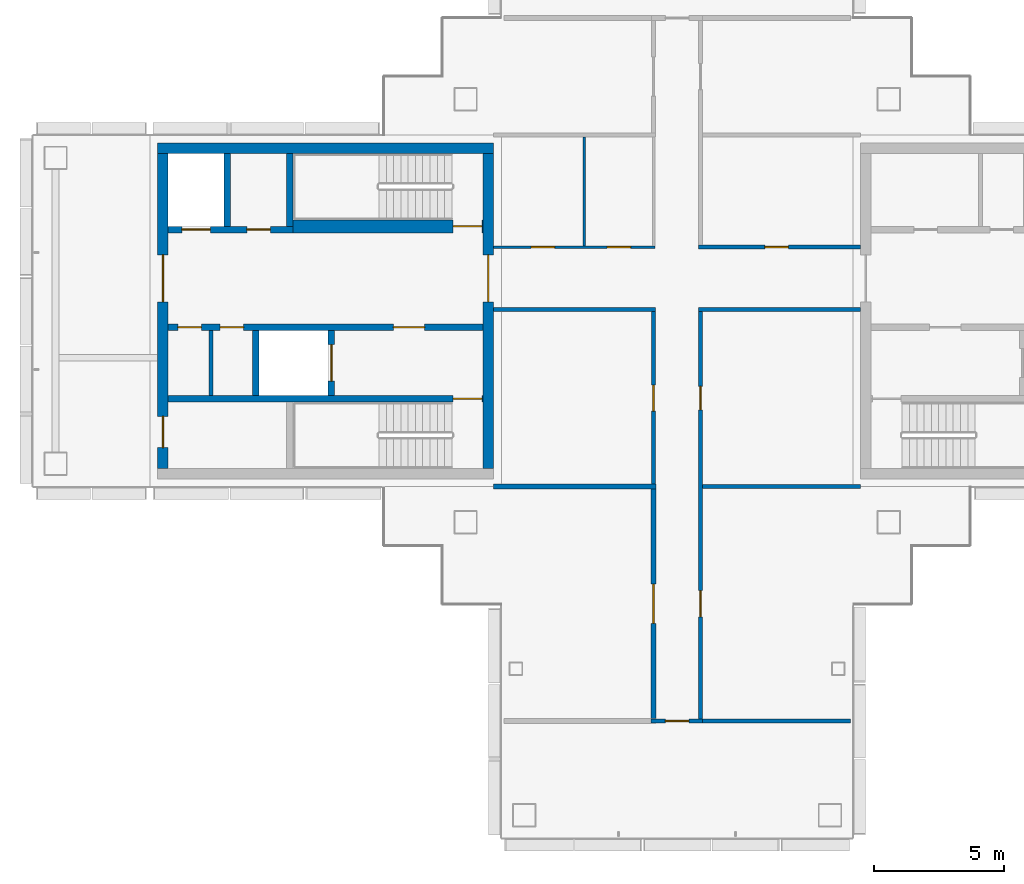
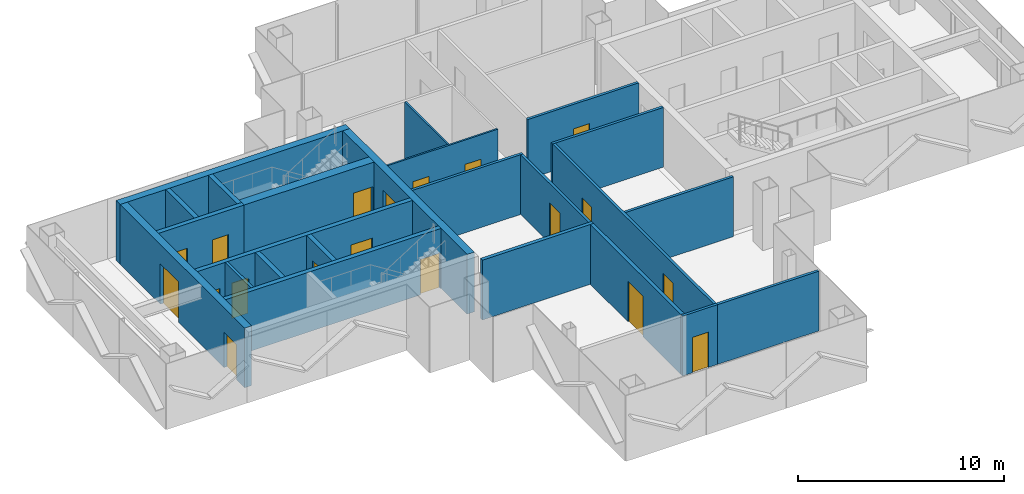
# One storey, part 9 of 17: 24 walls, 19 doors, 19 openings.
"""IFC4 building model written with IfcOpenShell, lengths in metres."""

from ifc_helpers import new_model, si_unit, direction, frame, frame_2d, origin, place, context, subcontext, project, spatial, rectangle, extrude, material, layer, layer_set, type_object, element, fill, save


model = new_model("IFC4")

# Units and contexts
model_context = context("Model", 3, precision=1e-05, world=origin(), true_north=direction((0.0, 1.0)))
body_context = subcontext(model_context, "Body", "Model", "MODEL_VIEW")
ifc_project = project(units=[si_unit("LENGTHUNIT", "METRE"), si_unit("AREAUNIT", "SQUARE_METRE"), si_unit("VOLUMEUNIT", "CUBIC_METRE"), si_unit("PLANEANGLEUNIT", "RADIAN"), si_unit("MASSUNIT", "GRAM", prefix="KILO")], contexts=[model_context])

# Site, building, storey
site_placement = place(None, origin())
site = spatial("IfcSite", under=ifc_project, at=site_placement, CompositionType="ELEMENT")
building_placement = place(site_placement, origin())
building = spatial("IfcBuilding", under=site, at=building_placement, Name="Shamsa Quay Exchange Towers", CompositionType="ELEMENT")
storey_placement = place(building_placement, frame((0.0, 0.0, 234.300048828125)))
storey = spatial("IfcBuildingStorey", under=building, at=storey_placement, Name="L56", CompositionType="ELEMENT", Elevation=234.300048828125)

# Wall, opening, door
ifc_material_1 = material(Name="Double-leaf gypsum board partition with acoustic insulation")
ifc_layer_1 = layer(ifc_material_1, 0.199951171875)
ifc_layer_set_1 = layer_set([ifc_layer_1], Name="Acoustic partition 200 mm EI 60")
wall_type_1 = type_object("IfcWallType", Name="Acoustic partition 200 mm EI 60", PredefinedType="PARTITIONING", material=ifc_layer_set_1)
wall_1_placement = place(storey_placement, frame((-34.650390625, -15.64990234375, 0.0), z_axis=(0.0, 0.0, 1.0), x_axis=(0.0, 1.0, 0.0)))
wall_1 = element("IfcWall", 1, at=wall_1_placement, inside=storey, type_object=wall_type_1, Name="Partition T1-R25-W11", PredefinedType="PARTITIONING", context=body_context, shape_type="SweptSolid", body=[
    extrude(rectangle(XDim=8.7998046875, YDim=0.199951171875, at=frame_2d((4.39990234375, 0.0))), origin(), (0.0, 0.0, 1.0), 3.550048828125),
])
opening_1_placement = place(wall_1_placement, frame((3.64990234375, 0.0, 0.0)))
opening_1 = element("IfcOpeningElement", 2, at=opening_1_placement, cuts=wall_1, Name="Opening T1-R25-D03", PredefinedType="OPENING", context=body_context, shape_type="SweptSolid", body=[
    extrude(rectangle(XDim=1.5, YDim=2.39990234375, at=frame_2d((0.75, 1.199951171875))), frame((0.0, 0.10986328125, 0.0), z_axis=(0.0, -1.0, 0.0), x_axis=(1.0, 0.0, 0.0)), (0.0, 0.0, 1.0), 0.219970703125),
])
ifc_material_2 = material(Name="Timber door leaf in a metal frame", Category="wood")
door_type_1 = type_object("IfcDoorType", Name="Door 1500x2400 FD30S pair", OperationType="NOTDEFINED", PredefinedType="DOOR", material=ifc_material_2)
door_1_placement = place(opening_1_placement, origin())
door_1 = element("IfcDoor", 3, at=door_1_placement, inside=storey, type_object=door_type_1, Name="Door T1-R25-D03", OperationType="DOUBLE_DOOR_SINGLE_SWING", OverallHeight=2.39990234375, OverallWidth=1.5, PredefinedType="DOOR", context=body_context, shape_type="SweptSolid", body=[
    extrude(rectangle(XDim=1.5, YDim=2.39990234375, at=frame_2d((0.75, 1.199951171875))), frame((0.0, 0.02490234375, 0.0), z_axis=(0.0, -1.0, 0.0), x_axis=(1.0, 0.0, 0.0)), (0.0, 0.0, 1.0), 0.050048828125),
])
fill(opening_1, door_1)

# Walls
wall_2_placement = place(storey_placement, frame((-40.800048828125, -6.75, 0.0)))
element("IfcWall", 4, at=wall_2_placement, inside=storey, type_object=wall_type_1, Name="Partition T1-R25-W17", PredefinedType="PARTITIONING", context=body_context, shape_type="SweptSolid", body=[
    extrude(rectangle(XDim=6.249755859375, YDim=0.199951171875, at=frame_2d((3.125, 0.0))), origin(), (0.0, 0.0, 1.0), 3.550048828125),
])
ifc_material_3 = material(Name="Concrete C60/75", Category="concrete")
ifc_layer_2 = layer(ifc_material_3, 0.39990234375)
ifc_layer_set_2 = layer_set([ifc_layer_2], Name="CORE WALL 400 C60/75")
wall_type_2 = type_object("IfcWallType", Name="CORE WALL 400 C60/75", PredefinedType="SHEAR", material=ifc_layer_set_2)
wall_3_placement = place(storey_placement, frame((-40.800048828125, 6.25, 0.0), z_axis=(0.0, 0.0, 1.0), x_axis=(-1.0, 0.0, 0.0)))
element("IfcWall", 5, at=wall_3_placement, inside=storey, type_object=wall_type_2, Name="Core wall T1B-R25-PN", PredefinedType="SHEAR", context=body_context, shape_type="SweptSolid", body=[
    extrude(rectangle(XDim=12.89990234375, YDim=0.39990234375, at=frame_2d((6.449951171875, 0.0))), origin(), (0.0, 0.0, 1.0), 3.550048828125),
])

# Wall, opening, door
wall_4_placement = place(storey_placement, frame((-41.0, -6.050048828125, 0.0), z_axis=(0.0, 0.0, 1.0), x_axis=(0.0, 1.0, 0.0)))
wall_4 = element("IfcWall", 6, at=wall_4_placement, inside=storey, type_object=wall_type_2, Name="Core wall T1B-R25-PF", PredefinedType="SHEAR", context=body_context, shape_type="SweptSolid", body=[
    extrude(rectangle(XDim=12.10009765625, YDim=0.39990234375, at=frame_2d((6.050048828125, 0.0))), origin(), (0.0, 0.0, 1.0), 3.550048828125),
])
opening_2_placement = place(wall_4_placement, frame((6.39990234375, 0.0, 0.0)))
opening_2 = element("IfcOpeningElement", 7, at=opening_2_placement, cuts=wall_4, Name="Opening T1B-R25-LBD01", PredefinedType="OPENING", context=body_context, shape_type="SweptSolid", body=[
    extrude(rectangle(XDim=1.800048828125, YDim=2.39990234375, at=frame_2d((0.89990234375, 1.199951171875))), frame((0.0, 0.2099609375, 0.0), z_axis=(0.0, -1.0, 0.0), x_axis=(1.0, 0.0, 0.0)), (0.0, 0.0, 1.0), 0.419921875),
])
ifc_material_4 = material(Name="Steel, fire rated", Category="steel")
door_type_2 = type_object("IfcDoorType", Name="LIFT LOBBY DOOR PAIR 1800", OperationType="DOUBLE_DOOR_SINGLE_SWING", PredefinedType="DOOR", material=ifc_material_4)
door_2_placement = place(opening_2_placement, origin())
door_2 = element("IfcDoor", 8, at=door_2_placement, inside=storey, type_object=door_type_2, Name="T1B-R25-LBD01", OperationType="DOUBLE_DOOR_SINGLE_SWING", OverallHeight=2.39990234375, OverallWidth=1.800048828125, PredefinedType="DOOR", context=body_context, shape_type="SweptSolid", body=[
    extrude(rectangle(XDim=1.800048828125, YDim=2.39990234375, at=frame_2d((0.89990234375, 1.199951171875))), frame((0.0, 0.02490234375, 0.0), z_axis=(0.0, -1.0, 0.0), x_axis=(1.0, 0.0, 0.0)), (0.0, 0.0, 1.0), 0.050048828125),
])
fill(opening_2, door_2)

# Wall, openings, doors
wall_5_placement = place(storey_placement, frame((-53.5, -6.050048828125, 0.0), z_axis=(0.0, 0.0, 1.0), x_axis=(0.0, 1.0, 0.0)))
wall_5 = element("IfcWall", 9, at=wall_5_placement, inside=storey, type_object=wall_type_2, Name="Core wall T1B-R25-PB", PredefinedType="SHEAR", context=body_context, shape_type="SweptSolid", body=[
    extrude(rectangle(XDim=12.10009765625, YDim=0.39990234375, at=frame_2d((6.050048828125, 0.0))), origin(), (0.0, 0.0, 1.0), 3.550048828125),
])
opening_3_placement = place(wall_5_placement, frame((0.800048828125, 0.0, 0.0)))
opening_3 = element("IfcOpeningElement", 10, at=opening_3_placement, cuts=wall_5, Name="Opening T1B-R25-RD02", PredefinedType="OPENING", context=body_context, shape_type="SweptSolid", body=[
    extrude(rectangle(XDim=1.199951171875, YDim=2.10009765625, at=frame_2d((0.60009765625, 1.050048828125))), frame((0.0, 0.2099609375, 0.0), z_axis=(0.0, -1.0, 0.0), x_axis=(1.0, 0.0, 0.0)), (0.0, 0.0, 1.0), 0.419921875),
])
opening_4_placement = place(wall_5_placement, frame((6.39990234375, 0.0, 0.0)))
opening_4 = element("IfcOpeningElement", 11, at=opening_4_placement, cuts=wall_5, Name="Opening T1B-R25-LBD03", PredefinedType="OPENING", context=body_context, shape_type="SweptSolid", body=[
    extrude(rectangle(XDim=1.800048828125, YDim=2.39990234375, at=frame_2d((0.89990234375, 1.199951171875))), frame((0.0, 0.2099609375, 0.0), z_axis=(0.0, -1.0, 0.0), x_axis=(1.0, 0.0, 0.0)), (0.0, 0.0, 1.0), 0.419921875),
])
door_3_placement = place(opening_4_placement, origin())
door_3 = element("IfcDoor", 12, at=door_3_placement, inside=storey, type_object=door_type_2, Name="T1B-R25-LBD03", OperationType="DOUBLE_DOOR_SINGLE_SWING", OverallHeight=2.39990234375, OverallWidth=1.800048828125, PredefinedType="DOOR", context=body_context, shape_type="SweptSolid", body=[
    extrude(rectangle(XDim=1.800048828125, YDim=2.39990234375, at=frame_2d((0.89990234375, 1.199951171875))), frame((0.0, 0.02490234375, 0.0), z_axis=(0.0, -1.0, 0.0), x_axis=(1.0, 0.0, 0.0)), (0.0, 0.0, 1.0), 0.050048828125),
])
fill(opening_4, door_3)
door_type_3 = type_object("IfcDoorType", Name="RISER ACCESS DOOR 1200", OperationType="SINGLE_SWING_LEFT", PredefinedType="DOOR", material=ifc_material_4)
door_4_placement = place(opening_3_placement, origin())
door_4 = element("IfcDoor", 13, at=door_4_placement, inside=storey, type_object=door_type_3, Name="T1B-R25-RD02", OperationType="SINGLE_SWING_LEFT", OverallHeight=2.10009765625, OverallWidth=1.199951171875, PredefinedType="DOOR", context=body_context, shape_type="SweptSolid", body=[
    extrude(rectangle(XDim=1.199951171875, YDim=2.10009765625, at=frame_2d((0.60009765625, 1.050048828125))), frame((0.0, 0.02490234375, 0.0), z_axis=(0.0, -1.0, 0.0), x_axis=(1.0, 0.0, 0.0)), (0.0, 0.0, 1.0), 0.050048828125),
])
fill(opening_3, door_4)

# Wall
ifc_material_5 = material(Name="Gypsum board on steel studs, EI 60", Category="steel")
ifc_layer_3 = layer(ifc_material_5, 0.14990234375)
ifc_layer_set_3 = layer_set([ifc_layer_3], Name="FIRE PARTITION 150")
wall_type_3 = type_object("IfcWallType", Name="FIRE PARTITION 150", PredefinedType="PARTITIONING", material=ifc_layer_set_3)
wall_6_placement = place(storey_placement, frame((-51.64990234375, -3.25, 0.0), z_axis=(0.0, 0.0, 1.0), x_axis=(0.0, 1.0, 0.0)))
element("IfcWall", 14, at=wall_6_placement, inside=storey, type_object=wall_type_3, Name="Partition T1B-R25-EC0", PredefinedType="PARTITIONING", context=body_context, shape_type="SweptSolid", body=[
    extrude(rectangle(XDim=2.5, YDim=0.14990234375, at=frame_2d((1.25, 0.0))), origin(), (0.0, 0.0, 1.0), 3.550048828125),
])

# Wall, openings, doors
ifc_material_6 = material(Name="Gypsum board partition on metal studs")
ifc_layer_4 = layer(ifc_material_6, 0.10009765625)
ifc_layer_set_4 = layer_set([ifc_layer_4], Name="Partition 100 mm NOT RATED")
wall_type_4 = type_object("IfcWallType", Name="Partition 100 mm NOT RATED", PredefinedType="PARTITIONING", material=ifc_layer_set_4)
wall_7_placement = place(storey_placement, frame((-40.800048828125, 2.4501953125, 0.0)))
wall_7 = element("IfcWall", 15, at=wall_7_placement, inside=storey, type_object=wall_type_4, Name="Partition T1-R25-W06", PredefinedType="PARTITIONING", context=body_context, shape_type="SweptSolid", body=[
    extrude(rectangle(XDim=6.19970703125, YDim=0.10009765625, at=frame_2d((3.099853515625, 0.0))), origin(), (0.0, 0.0, 1.0), 3.550048828125),
])
opening_5_placement = place(wall_7_placement, frame((1.44384765625, 0.0, 0.0)))
opening_5 = element("IfcOpeningElement", 16, at=opening_5_placement, cuts=wall_7, Name="Opening T1-R25-D01", PredefinedType="OPENING", context=body_context, shape_type="SweptSolid", body=[
    extrude(rectangle(XDim=0.89990234375, YDim=2.10009765625, at=frame_2d((0.449951171875, 1.050048828125))), frame((0.0, 0.06005859375, 0.0), z_axis=(0.0, -1.0, 0.0), x_axis=(1.0, 0.0, 0.0)), (0.0, 0.0, 1.0), 0.1201171875),
])
opening_6_placement = place(wall_7_placement, frame((4.368408203125, 0.0, 0.0)))
opening_6 = element("IfcOpeningElement", 17, at=opening_6_placement, cuts=wall_7, Name="Opening T1-R25-D02", PredefinedType="OPENING", context=body_context, shape_type="SweptSolid", body=[
    extrude(rectangle(XDim=0.89990234375, YDim=2.10009765625, at=frame_2d((0.449951171875, 1.050048828125))), frame((0.0, 0.06005859375, 0.0), z_axis=(0.0, -1.0, 0.0), x_axis=(1.0, 0.0, 0.0)), (0.0, 0.0, 1.0), 0.1201171875),
])
door_type_4 = type_object("IfcDoorType", Name="Door 900x2100 NOT RATED", OperationType="NOTDEFINED", PredefinedType="DOOR", material=ifc_material_2)
door_5_placement = place(opening_5_placement, origin())
door_5 = element("IfcDoor", 18, at=door_5_placement, inside=storey, type_object=door_type_4, Name="Door T1-R25-D01", OperationType="SINGLE_SWING_LEFT", OverallHeight=2.10009765625, OverallWidth=0.89990234375, PredefinedType="DOOR", context=body_context, shape_type="SweptSolid", body=[
    extrude(rectangle(XDim=0.89990234375, YDim=2.10009765625, at=frame_2d((0.449951171875, 1.050048828125))), frame((0.0, 0.02490234375, 0.0), z_axis=(0.0, -1.0, 0.0), x_axis=(1.0, 0.0, 0.0)), (0.0, 0.0, 1.0), 0.050048828125),
])
fill(opening_5, door_5)
door_6_placement = place(opening_6_placement, origin())
door_6 = element("IfcDoor", 19, at=door_6_placement, inside=storey, type_object=door_type_4, Name="Door T1-R25-D02", OperationType="SINGLE_SWING_LEFT", OverallHeight=2.10009765625, OverallWidth=0.89990234375, PredefinedType="DOOR", context=body_context, shape_type="SweptSolid", body=[
    extrude(rectangle(XDim=0.89990234375, YDim=2.10009765625, at=frame_2d((0.449951171875, 1.050048828125))), frame((0.0, 0.02490234375, 0.0), z_axis=(0.0, -1.0, 0.0), x_axis=(1.0, 0.0, 0.0)), (0.0, 0.0, 1.0), 0.050048828125),
])
fill(opening_6, door_6)

# Wall
wall_8_placement = place(storey_placement, frame((-37.3125, 2.500244140625, 0.0), z_axis=(0.0, 0.0, 1.0), x_axis=(0.0, 1.0, 0.0)))
element("IfcWall", 20, at=wall_8_placement, inside=storey, type_object=wall_type_4, Name="Partition T1-R25-W16", PredefinedType="PARTITIONING", context=body_context, shape_type="SweptSolid", body=[
    extrude(rectangle(XDim=4.1748046875, YDim=0.10009765625, at=frame_2d((2.08740234375, 0.0))), origin(), (0.0, 0.0, 1.0), 3.550048828125),
])

# Wall, openings, doors
ifc_layer_5 = layer(ifc_material_6, 0.14990234375)
ifc_layer_set_5 = layer_set([ifc_layer_5], Name="Partition 150 mm EI 60")
wall_type_5 = type_object("IfcWallType", Name="Partition 150 mm EI 60", PredefinedType="PARTITIONING", material=ifc_layer_set_5)
wall_9_placement = place(storey_placement, frame((-32.849609375, -0.025146484375, 0.0), z_axis=(0.0, 0.0, 1.0), x_axis=(0.0, -1.0, 0.0)))
wall_9 = element("IfcWall", 21, at=wall_9_placement, inside=storey, type_object=wall_type_5, Name="Partition T1-R25-W02", PredefinedType="PARTITIONING", context=body_context, shape_type="SweptSolid", body=[
    extrude(rectangle(XDim=15.64990234375, YDim=0.14990234375, at=frame_2d((7.824951171875, 0.0))), origin(), (0.0, 0.0, 1.0), 3.550048828125),
])
opening_7_placement = place(wall_9_placement, frame((2.875, 0.0, 0.0)))
opening_7 = element("IfcOpeningElement", 22, at=opening_7_placement, cuts=wall_9, Name="Opening T1-R25-D08", PredefinedType="OPENING", context=body_context, shape_type="SweptSolid", body=[
    extrude(rectangle(XDim=0.89990234375, YDim=2.10009765625, at=frame_2d((0.449951171875, 1.050048828125))), frame((0.0, 0.0849609375, 0.0), z_axis=(0.0, -1.0, 0.0), x_axis=(1.0, 0.0, 0.0)), (0.0, 0.0, 1.0), 0.169921875),
])
opening_8_placement = place(wall_9_placement, frame((10.724853515625, 0.0, 0.0)))
opening_8 = element("IfcOpeningElement", 23, at=opening_8_placement, cuts=wall_9, Name="Opening T1-R25-D09", PredefinedType="OPENING", context=body_context, shape_type="SweptSolid", body=[
    extrude(rectangle(XDim=1.0, YDim=2.39990234375, at=frame_2d((0.5, 1.199951171875))), frame((0.0, 0.0849609375, 0.0), z_axis=(0.0, -1.0, 0.0), x_axis=(1.0, 0.0, 0.0)), (0.0, 0.0, 1.0), 0.169921875),
])
door_type_5 = type_object("IfcDoorType", Name="Door 1000x2400 FD30S", OperationType="NOTDEFINED", PredefinedType="DOOR", material=ifc_material_2)
door_7_placement = place(opening_8_placement, origin())
door_7 = element("IfcDoor", 24, at=door_7_placement, inside=storey, type_object=door_type_5, Name="Door T1-R25-D09", OperationType="SINGLE_SWING_LEFT", OverallHeight=2.39990234375, OverallWidth=1.0, PredefinedType="DOOR", context=body_context, shape_type="SweptSolid", body=[
    extrude(rectangle(XDim=1.0, YDim=2.39990234375, at=frame_2d((0.5, 1.199951171875))), frame((0.0, 0.02490234375, 0.0), z_axis=(0.0, -1.0, 0.0), x_axis=(1.0, 0.0, 0.0)), (0.0, 0.0, 1.0), 0.050048828125),
])
fill(opening_8, door_7)
door_type_6 = type_object("IfcDoorType", Name="Door 900x2100 FD30S", OperationType="NOTDEFINED", PredefinedType="DOOR", material=ifc_material_2)
door_8_placement = place(opening_7_placement, origin())
door_8 = element("IfcDoor", 25, at=door_8_placement, inside=storey, type_object=door_type_6, Name="Door T1-R25-D08", OperationType="SINGLE_SWING_RIGHT", OverallHeight=2.10009765625, OverallWidth=0.89990234375, PredefinedType="DOOR", context=body_context, shape_type="SweptSolid", body=[
    extrude(rectangle(XDim=0.89990234375, YDim=2.10009765625, at=frame_2d((0.449951171875, 1.050048828125))), frame((0.0, 0.02490234375, 0.0), z_axis=(0.0, -1.0, 0.0), x_axis=(1.0, 0.0, 0.0)), (0.0, 0.0, 1.0), 0.050048828125),
])
fill(opening_7, door_8)

# Wall, opening, door
wall_10_placement = place(storey_placement, frame((-32.924560546875, 2.4501953125, 0.0)))
wall_10 = element("IfcWall", 26, at=wall_10_placement, inside=storey, type_object=wall_type_5, Name="Partition T1-R25-W03", PredefinedType="PARTITIONING", context=body_context, shape_type="SweptSolid", body=[
    extrude(rectangle(XDim=6.224609375, YDim=0.14990234375, at=frame_2d((3.1123046875, 0.0))), origin(), (0.0, 0.0, 1.0), 3.550048828125),
])
opening_9_placement = place(wall_10_placement, frame((2.5498046875, 0.0, 0.0)))
opening_9 = element("IfcOpeningElement", 27, at=opening_9_placement, cuts=wall_10, Name="Opening T1-R25-D10", PredefinedType="OPENING", context=body_context, shape_type="SweptSolid", body=[
    extrude(rectangle(XDim=0.89990234375, YDim=2.10009765625, at=frame_2d((0.449951171875, 1.050048828125))), frame((0.0, 0.0849609375, 0.0), z_axis=(0.0, -1.0, 0.0), x_axis=(1.0, 0.0, 0.0)), (0.0, 0.0, 1.0), 0.169921875),
])
door_9_placement = place(opening_9_placement, origin())
door_9 = element("IfcDoor", 28, at=door_9_placement, inside=storey, type_object=door_type_6, Name="Door T1-R25-D10", OperationType="SINGLE_SWING_RIGHT", OverallHeight=2.10009765625, OverallWidth=0.89990234375, PredefinedType="DOOR", context=body_context, shape_type="SweptSolid", body=[
    extrude(rectangle(XDim=0.89990234375, YDim=2.10009765625, at=frame_2d((0.449951171875, 1.050048828125))), frame((0.0, 0.02490234375, 0.0), z_axis=(0.0, -1.0, 0.0), x_axis=(1.0, 0.0, 0.0)), (0.0, 0.0, 1.0), 0.050048828125),
])
fill(opening_9, door_9)

# Walls
for number, where, z_axis, x_axis, name in (
    (29, (-26.699951171875, 0.0498046875, 0.0), (0.0, 0.0, 1.0), (-1.0, 0.0, 0.0), "Partition T1-R25-W04"),
    (30, (-34.575439453125, 0.0498046875, 0.0), (0.0, 0.0, 1.0), (-1.0, 0.0, 0.0), "Partition T1-R25-W05"),
):
    element("IfcWall", number, at=place(storey_placement, frame(where, z_axis=z_axis, x_axis=x_axis)), inside=storey, type_object=wall_type_5, Name=name, PredefinedType="PARTITIONING", context=body_context, shape_type="SweptSolid", body=[
        extrude(rectangle(XDim=6.224609375, YDim=0.14990234375, at=frame_2d((3.1123046875, 0.0))), origin(), (0.0, 0.0, 1.0), 3.550048828125),
    ])

# Wall, opening, door
wall_11_placement = place(storey_placement, frame((-34.650390625, -6.64990234375, 0.0), z_axis=(0.0, 0.0, 1.0), x_axis=(0.0, 1.0, 0.0)))
wall_11 = element("IfcWall", 31, at=wall_11_placement, inside=storey, type_object=wall_type_5, Name="Partition T1-R25-W08", PredefinedType="PARTITIONING", context=body_context, shape_type="SweptSolid", body=[
    extrude(rectangle(XDim=6.624755859375, YDim=0.14990234375, at=frame_2d((3.3125, 0.0))), origin(), (0.0, 0.0, 1.0), 3.550048828125),
])
opening_10_placement = place(wall_11_placement, frame((2.7998046875, 0.0, 0.0)))
opening_10 = element("IfcOpeningElement", 32, at=opening_10_placement, cuts=wall_11, Name="Opening T1-R25-D04", PredefinedType="OPENING", context=body_context, shape_type="SweptSolid", body=[
    extrude(rectangle(XDim=1.0, YDim=2.39990234375, at=frame_2d((0.5, 1.199951171875))), frame((0.0, 0.0849609375, 0.0), z_axis=(0.0, -1.0, 0.0), x_axis=(1.0, 0.0, 0.0)), (0.0, 0.0, 1.0), 0.169921875),
])
door_10_placement = place(opening_10_placement, origin())
door_10 = element("IfcDoor", 33, at=door_10_placement, inside=storey, type_object=door_type_5, Name="Door T1-R25-D04", OperationType="SINGLE_SWING_LEFT", OverallHeight=2.39990234375, OverallWidth=1.0, PredefinedType="DOOR", context=body_context, shape_type="SweptSolid", body=[
    extrude(rectangle(XDim=1.0, YDim=2.39990234375, at=frame_2d((0.5, 1.199951171875))), frame((0.0, 0.02490234375, 0.0), z_axis=(0.0, -1.0, 0.0), x_axis=(1.0, 0.0, 0.0)), (0.0, 0.0, 1.0), 0.050048828125),
])
fill(opening_10, door_10)

wall_12_placement = place(storey_placement, frame((-32.774658203125, -15.75, 0.0), z_axis=(0.0, 0.0, 1.0), x_axis=(-1.0, 0.0, 0.0)))
wall_12 = element("IfcWall", 34, at=wall_12_placement, inside=storey, type_object=wall_type_5, Name="Partition T1-R25-W12", PredefinedType="PARTITIONING", context=body_context, shape_type="SweptSolid", body=[
    extrude(rectangle(XDim=1.975830078125, YDim=0.14990234375, at=frame_2d((0.98779296875, 0.0))), origin(), (0.0, 0.0, 1.0), 3.550048828125),
])
opening_11_placement = place(wall_12_placement, frame((0.525390625, 0.0, 0.0)))
opening_11 = element("IfcOpeningElement", 35, at=opening_11_placement, cuts=wall_12, Name="Opening T1-R25-D07", PredefinedType="OPENING", context=body_context, shape_type="SweptSolid", body=[
    extrude(rectangle(XDim=0.89990234375, YDim=2.10009765625, at=frame_2d((0.449951171875, 1.050048828125))), frame((0.0, 0.0849609375, 0.0), z_axis=(0.0, -1.0, 0.0), x_axis=(1.0, 0.0, 0.0)), (0.0, 0.0, 1.0), 0.169921875),
])
door_11_placement = place(opening_11_placement, origin())
door_11 = element("IfcDoor", 36, at=door_11_placement, inside=storey, type_object=door_type_6, Name="Door T1-R25-D07", OperationType="SINGLE_SWING_LEFT", OverallHeight=2.10009765625, OverallWidth=0.89990234375, PredefinedType="DOOR", context=body_context, shape_type="SweptSolid", body=[
    extrude(rectangle(XDim=0.89990234375, YDim=2.10009765625, at=frame_2d((0.449951171875, 1.050048828125))), frame((0.0, 0.02490234375, 0.0), z_axis=(0.0, -1.0, 0.0), x_axis=(1.0, 0.0, 0.0)), (0.0, 0.0, 1.0), 0.050048828125),
])
fill(opening_11, door_11)

# Walls
wall_13_placement = place(storey_placement, frame((-32.774658203125, -6.75, 0.0)))
element("IfcWall", 37, at=wall_13_placement, inside=storey, type_object=wall_type_5, Name="Partition T1-R25-W15", PredefinedType="PARTITIONING", context=body_context, shape_type="SweptSolid", body=[
    extrude(rectangle(XDim=6.07470703125, YDim=0.14990234375, at=frame_2d((3.037353515625, 0.0))), origin(), (0.0, 0.0, 1.0), 3.550048828125),
])
wall_14_placement = place(storey_placement, frame((-32.924560546875, -15.75, 0.0)))
element("IfcWall", 38, at=wall_14_placement, inside=storey, type_object=wall_type_5, Name="Partition T1-R25-W20", PredefinedType="PARTITIONING", context=body_context, shape_type="SweptSolid", body=[
    extrude(rectangle(XDim=5.82958984375, YDim=0.14990234375, at=frame_2d((2.914794921875, 0.0))), origin(), (0.0, 0.0, 1.0), 3.550048828125),
])

# Wall, opening, door
ifc_material_7 = material(Name="Concrete C50/60", Category="concrete")
ifc_layer_6 = layer(ifc_material_7, 0.25)
ifc_layer_set_6 = layer_set([ifc_layer_6], Name="SHAFT WALL 250 C50/60")
wall_type_6 = type_object("IfcWallType", Name="SHAFT WALL 250 C50/60", PredefinedType="SHEAR", material=ifc_layer_set_6)
wall_15_placement = place(storey_placement, frame((-41.199951171875, -3.375, 0.0), z_axis=(0.0, 0.0, 1.0), x_axis=(-1.0, 0.0, 0.0)))
wall_15 = element("IfcWall", 39, at=wall_15_placement, inside=storey, type_object=wall_type_6, Name="Shaft wall T1B-R25-STL", PredefinedType="SHEAR", context=body_context, shape_type="SweptSolid", body=[
    extrude(rectangle(XDim=12.10009765625, YDim=0.25, at=frame_2d((6.050048828125, 0.0))), origin(), (0.0, 0.0, 1.0), 3.550048828125),
])
opening_12_placement = place(wall_15_placement, frame((0.050048828125, 0.0, 0.0)))
opening_12 = element("IfcOpeningElement", 40, at=opening_12_placement, cuts=wall_15, Name="Opening T1B-R25-SD04", PredefinedType="OPENING", context=body_context, shape_type="SweptSolid", body=[
    extrude(rectangle(XDim=1.10009765625, YDim=2.10009765625, at=frame_2d((0.550048828125, 1.050048828125))), frame((0.0, 0.135009765625, 0.0), z_axis=(0.0, -1.0, 0.0), x_axis=(1.0, 0.0, 0.0)), (0.0, 0.0, 1.0), 0.27001953125),
])
door_type_7 = type_object("IfcDoorType", Name="STAIR DOOR 1100", OperationType="SINGLE_SWING_LEFT", PredefinedType="DOOR", material=ifc_material_4)
door_12_placement = place(opening_12_placement, origin())
door_12 = element("IfcDoor", 41, at=door_12_placement, inside=storey, type_object=door_type_7, Name="T1B-R25-SD04", OperationType="SINGLE_SWING_LEFT", OverallHeight=2.10009765625, OverallWidth=1.10009765625, PredefinedType="DOOR", context=body_context, shape_type="SweptSolid", body=[
    extrude(rectangle(XDim=1.10009765625, YDim=2.10009765625, at=frame_2d((0.550048828125, 1.050048828125))), frame((0.0, 0.02490234375, 0.0), z_axis=(0.0, -1.0, 0.0), x_axis=(1.0, 0.0, 0.0)), (0.0, 0.0, 1.0), 0.050048828125),
])
fill(opening_12, door_12)

# Wall, openings, doors
wall_16_placement = place(storey_placement, frame((-41.199951171875, -0.625, 0.0), z_axis=(0.0, 0.0, 1.0), x_axis=(-1.0, 0.0, 0.0)))
wall_16 = element("IfcWall", 42, at=wall_16_placement, inside=storey, type_object=wall_type_6, Name="Shaft wall T1B-R25-B", PredefinedType="SHEAR", context=body_context, shape_type="SweptSolid", body=[
    extrude(rectangle(XDim=12.10009765625, YDim=0.25, at=frame_2d((6.050048828125, 0.0))), origin(), (0.0, 0.0, 1.0), 3.550048828125),
])
opening_13_placement = place(wall_16_placement, frame((2.25, 0.0, 0.0)))
opening_13 = element("IfcOpeningElement", 43, at=opening_13_placement, cuts=wall_16, Name="Opening T1B-R25-FD05", PredefinedType="OPENING", context=body_context, shape_type="SweptSolid", body=[
    extrude(rectangle(XDim=1.199951171875, YDim=2.10009765625, at=frame_2d((0.60009765625, 1.050048828125))), frame((0.0, 0.135009765625, 0.0), z_axis=(0.0, -1.0, 0.0), x_axis=(1.0, 0.0, 0.0)), (0.0, 0.0, 1.0), 0.27001953125),
])
opening_14_placement = place(wall_16_placement, frame((9.199951171875, 0.0, 0.0)))
opening_14 = element("IfcOpeningElement", 44, at=opening_14_placement, cuts=wall_16, Name="Opening T1B-R25-SV06", PredefinedType="OPENING", context=body_context, shape_type="SweptSolid", body=[
    extrude(rectangle(XDim=0.89990234375, YDim=2.10009765625, at=frame_2d((0.449951171875, 1.050048828125))), frame((0.0, 0.135009765625, 0.0), z_axis=(0.0, -1.0, 0.0), x_axis=(1.0, 0.0, 0.0)), (0.0, 0.0, 1.0), 0.27001953125),
])
opening_15_placement = place(wall_16_placement, frame((10.824951171875, 0.0, 0.0)))
opening_15 = element("IfcOpeningElement", 45, at=opening_15_placement, cuts=wall_16, Name="Opening T1B-R25-SV07", PredefinedType="OPENING", context=body_context, shape_type="SweptSolid", body=[
    extrude(rectangle(XDim=0.89990234375, YDim=2.10009765625, at=frame_2d((0.449951171875, 1.050048828125))), frame((0.0, 0.135009765625, 0.0), z_axis=(0.0, -1.0, 0.0), x_axis=(1.0, 0.0, 0.0)), (0.0, 0.0, 1.0), 0.27001953125),
])
door_type_8 = type_object("IfcDoorType", Name="FIRE SERVICE LOBBY DOOR 1200", OperationType="SINGLE_SWING_LEFT", PredefinedType="DOOR", material=ifc_material_4)
door_13_placement = place(opening_13_placement, origin())
door_13 = element("IfcDoor", 46, at=door_13_placement, inside=storey, type_object=door_type_8, Name="T1B-R25-FD05", OperationType="SINGLE_SWING_LEFT", OverallHeight=2.10009765625, OverallWidth=1.199951171875, PredefinedType="DOOR", context=body_context, shape_type="SweptSolid", body=[
    extrude(rectangle(XDim=1.199951171875, YDim=2.10009765625, at=frame_2d((0.60009765625, 1.050048828125))), frame((0.0, 0.02490234375, 0.0), z_axis=(0.0, -1.0, 0.0), x_axis=(1.0, 0.0, 0.0)), (0.0, 0.0, 1.0), 0.050048828125),
])
fill(opening_13, door_13)
door_type_9 = type_object("IfcDoorType", Name="SERVICE ROOM DOOR 900", OperationType="SINGLE_SWING_LEFT", PredefinedType="DOOR", material=ifc_material_4)
door_14_placement = place(opening_14_placement, origin())
door_14 = element("IfcDoor", 47, at=door_14_placement, inside=storey, type_object=door_type_9, Name="T1B-R25-SV06", OperationType="SINGLE_SWING_RIGHT", OverallHeight=2.10009765625, OverallWidth=0.89990234375, PredefinedType="DOOR", context=body_context, shape_type="SweptSolid", body=[
    extrude(rectangle(XDim=0.89990234375, YDim=2.10009765625, at=frame_2d((0.449951171875, 1.050048828125))), frame((0.0, 0.02490234375, 0.0), z_axis=(0.0, -1.0, 0.0), x_axis=(1.0, 0.0, 0.0)), (0.0, 0.0, 1.0), 0.050048828125),
])
fill(opening_14, door_14)
door_15_placement = place(opening_15_placement, origin())
door_15 = element("IfcDoor", 48, at=door_15_placement, inside=storey, type_object=door_type_9, Name="T1B-R25-SV07", OperationType="SINGLE_SWING_RIGHT", OverallHeight=2.10009765625, OverallWidth=0.89990234375, PredefinedType="DOOR", context=body_context, shape_type="SweptSolid", body=[
    extrude(rectangle(XDim=0.89990234375, YDim=2.10009765625, at=frame_2d((0.449951171875, 1.050048828125))), frame((0.0, 0.02490234375, 0.0), z_axis=(0.0, -1.0, 0.0), x_axis=(1.0, 0.0, 0.0)), (0.0, 0.0, 1.0), 0.050048828125),
])
fill(opening_15, door_15)

# Wall, opening, door
wall_17_placement = place(storey_placement, frame((-47.02490234375, -3.25, 0.0), z_axis=(0.0, 0.0, 1.0), x_axis=(0.0, 1.0, 0.0)))
wall_17 = element("IfcWall", 49, at=wall_17_placement, inside=storey, type_object=wall_type_6, Name="Shaft wall T1B-R25-FFF", PredefinedType="SHEAR", context=body_context, shape_type="SweptSolid", body=[
    extrude(rectangle(XDim=2.5, YDim=0.25, at=frame_2d((1.25, 0.0))), origin(), (0.0, 0.0, 1.0), 3.550048828125),
])
opening_16_placement = place(wall_17_placement, frame((0.550048828125, 0.0, 0.0)))
opening_16 = element("IfcOpeningElement", 50, at=opening_16_placement, cuts=wall_17, Name="Opening T1B-R25-LDG08", PredefinedType="OPENING", context=body_context, shape_type="SweptSolid", body=[
    extrude(rectangle(XDim=1.39990234375, YDim=2.39990234375, at=frame_2d((0.699951171875, 1.199951171875))), frame((0.0, 0.135009765625, 0.0), z_axis=(0.0, -1.0, 0.0), x_axis=(1.0, 0.0, 0.0)), (0.0, 0.0, 1.0), 0.27001953125),
])
door_type_10 = type_object("IfcDoorType", Name="GOODS LIFT LANDING DOOR 1400", OperationType="SLIDING_TO_LEFT", PredefinedType="DOOR", material=ifc_material_4)
door_16_placement = place(opening_16_placement, origin())
door_16 = element("IfcDoor", 51, at=door_16_placement, inside=storey, type_object=door_type_10, Name="T1B-R25-LDG08", OperationType="SLIDING_TO_LEFT", OverallHeight=2.39990234375, OverallWidth=1.39990234375, PredefinedType="DOOR", context=body_context, shape_type="SweptSolid", body=[
    extrude(rectangle(XDim=1.39990234375, YDim=2.39990234375, at=frame_2d((0.699951171875, 1.199951171875))), frame((0.0, 0.02490234375, 0.0), z_axis=(0.0, -1.0, 0.0), x_axis=(1.0, 0.0, 0.0)), (0.0, 0.0, 1.0), 0.050048828125),
])
fill(opening_16, door_16)

# Wall
wall_18_placement = place(storey_placement, frame((-49.925048828125, -3.25, 0.0), z_axis=(0.0, 0.0, 1.0), x_axis=(0.0, 1.0, 0.0)))
element("IfcWall", 52, at=wall_18_placement, inside=storey, type_object=wall_type_6, Name="Shaft wall T1B-R25-FFB", PredefinedType="SHEAR", context=body_context, shape_type="SweptSolid", body=[
    extrude(rectangle(XDim=2.5, YDim=0.25, at=frame_2d((1.25, 0.0))), origin(), (0.0, 0.0, 1.0), 3.550048828125),
])

# Wall, openings, doors
wall_19_placement = place(storey_placement, frame((-53.300048828125, 3.125, 0.0)))
wall_19 = element("IfcWall", 53, at=wall_19_placement, inside=storey, type_object=wall_type_6, Name="Shaft wall T1B-R25-N2", PredefinedType="SHEAR", context=body_context, shape_type="SweptSolid", body=[
    extrude(rectangle(XDim=4.800048828125, YDim=0.25, at=frame_2d((2.39990234375, 0.0))), origin(), (0.0, 0.0, 1.0), 3.550048828125),
])
opening_17_placement = place(wall_19_placement, frame((0.52490234375, 0.0, 0.0)))
opening_17 = element("IfcOpeningElement", 54, at=opening_17_placement, cuts=wall_19, Name="Opening T1B-R25-LD10", PredefinedType="OPENING", context=body_context, shape_type="SweptSolid", body=[
    extrude(rectangle(XDim=1.10009765625, YDim=2.10009765625, at=frame_2d((0.550048828125, 1.050048828125))), frame((0.0, 0.135009765625, 0.0), z_axis=(0.0, -1.0, 0.0), x_axis=(1.0, 0.0, 0.0)), (0.0, 0.0, 1.0), 0.27001953125),
])
opening_18_placement = place(wall_19_placement, frame((3.02490234375, 0.0, 0.0)))
opening_18 = element("IfcOpeningElement", 55, at=opening_18_placement, cuts=wall_19, Name="Opening T1B-R25-SV11", PredefinedType="OPENING", context=body_context, shape_type="SweptSolid", body=[
    extrude(rectangle(XDim=0.89990234375, YDim=2.10009765625, at=frame_2d((0.449951171875, 1.050048828125))), frame((0.0, 0.135009765625, 0.0), z_axis=(0.0, -1.0, 0.0), x_axis=(1.0, 0.0, 0.0)), (0.0, 0.0, 1.0), 0.27001953125),
])
door_type_11 = type_object("IfcDoorType", Name="LANDING DOOR 1100", OperationType="SLIDING_TO_LEFT", PredefinedType="DOOR", material=ifc_material_4)
door_17_placement = place(opening_17_placement, origin())
door_17 = element("IfcDoor", 56, at=door_17_placement, inside=storey, type_object=door_type_11, Name="T1B-R25-LD10", OperationType="SLIDING_TO_LEFT", OverallHeight=2.10009765625, OverallWidth=1.10009765625, PredefinedType="DOOR", context=body_context, shape_type="SweptSolid", body=[
    extrude(rectangle(XDim=1.10009765625, YDim=2.10009765625, at=frame_2d((0.550048828125, 1.050048828125))), frame((0.0, 0.02490234375, 0.0), z_axis=(0.0, -1.0, 0.0), x_axis=(1.0, 0.0, 0.0)), (0.0, 0.0, 1.0), 0.050048828125),
])
fill(opening_17, door_17)
door_18_placement = place(opening_18_placement, origin())
door_18 = element("IfcDoor", 57, at=door_18_placement, inside=storey, type_object=door_type_9, Name="T1B-R25-SV11", OperationType="SINGLE_SWING_RIGHT", OverallHeight=2.10009765625, OverallWidth=0.89990234375, PredefinedType="DOOR", context=body_context, shape_type="SweptSolid", body=[
    extrude(rectangle(XDim=0.89990234375, YDim=2.10009765625, at=frame_2d((0.449951171875, 1.050048828125))), frame((0.0, 0.02490234375, 0.0), z_axis=(0.0, -1.0, 0.0), x_axis=(1.0, 0.0, 0.0)), (0.0, 0.0, 1.0), 0.050048828125),
])
fill(opening_18, door_18)

# Walls
for number, where, z_axis, x_axis, name in (
    (58, (-48.625, 3.25, 0.0), (0.0, 0.0, 1.0), (0.0, 1.0, 0.0), "Shaft wall T1B-R25-STF2"),
    (59, (-51.02490234375, 3.25, 0.0), (0.0, 0.0, 1.0), (0.0, 1.0, 0.0), "Shaft wall T1B-R25-D0"),
):
    element("IfcWall", number, at=place(storey_placement, frame(where, z_axis=z_axis, x_axis=x_axis)), inside=storey, type_object=wall_type_6, Name=name, PredefinedType="SHEAR", context=body_context, shape_type="SweptSolid", body=[
        extrude(rectangle(XDim=2.800048828125, YDim=0.25, at=frame_2d((1.39990234375, 0.0))), origin(), (0.0, 0.0, 1.0), 3.550048828125),
    ])

# Wall, opening, door
ifc_layer_7 = layer(ifc_material_7, 0.5)
ifc_layer_set_7 = layer_set([ifc_layer_7], Name="SHAFT WALL 500 C50/60")
wall_type_7 = type_object("IfcWallType", Name="SHAFT WALL 500 C50/60", PredefinedType="SHEAR", material=ifc_layer_set_7)
wall_20_placement = place(storey_placement, frame((-48.5, 3.25, 0.0)))
wall_20 = element("IfcWall", 60, at=wall_20_placement, inside=storey, type_object=wall_type_7, Name="Shaft wall T1B-R25-N", PredefinedType="SHEAR", context=body_context, shape_type="SweptSolid", body=[
    extrude(rectangle(XDim=7.300048828125, YDim=0.5, at=frame_2d((3.64990234375, 0.0))), origin(), (0.0, 0.0, 1.0), 3.550048828125),
])
opening_19_placement = place(wall_20_placement, frame((6.14990234375, 0.0, 0.0)))
opening_19 = element("IfcOpeningElement", 61, at=opening_19_placement, cuts=wall_20, Name="Opening T1B-R25-SD09", PredefinedType="OPENING", context=body_context, shape_type="SweptSolid", body=[
    extrude(rectangle(XDim=1.10009765625, YDim=2.10009765625, at=frame_2d((0.550048828125, 1.050048828125))), frame((0.0, 0.260009765625, 0.0), z_axis=(0.0, -1.0, 0.0), x_axis=(1.0, 0.0, 0.0)), (0.0, 0.0, 1.0), 0.52001953125),
])
door_19_placement = place(opening_19_placement, origin())
door_19 = element("IfcDoor", 62, at=door_19_placement, inside=storey, type_object=door_type_7, Name="T1B-R25-SD09", OperationType="SINGLE_SWING_RIGHT", OverallHeight=2.10009765625, OverallWidth=1.10009765625, PredefinedType="DOOR", context=body_context, shape_type="SweptSolid", body=[
    extrude(rectangle(XDim=1.10009765625, YDim=2.10009765625, at=frame_2d((0.550048828125, 1.050048828125))), frame((0.0, 0.02490234375, 0.0), z_axis=(0.0, -1.0, 0.0), x_axis=(1.0, 0.0, 0.0)), (0.0, 0.0, 1.0), 0.050048828125),
])
fill(opening_19, door_19)

save(model, "model.ifc")
